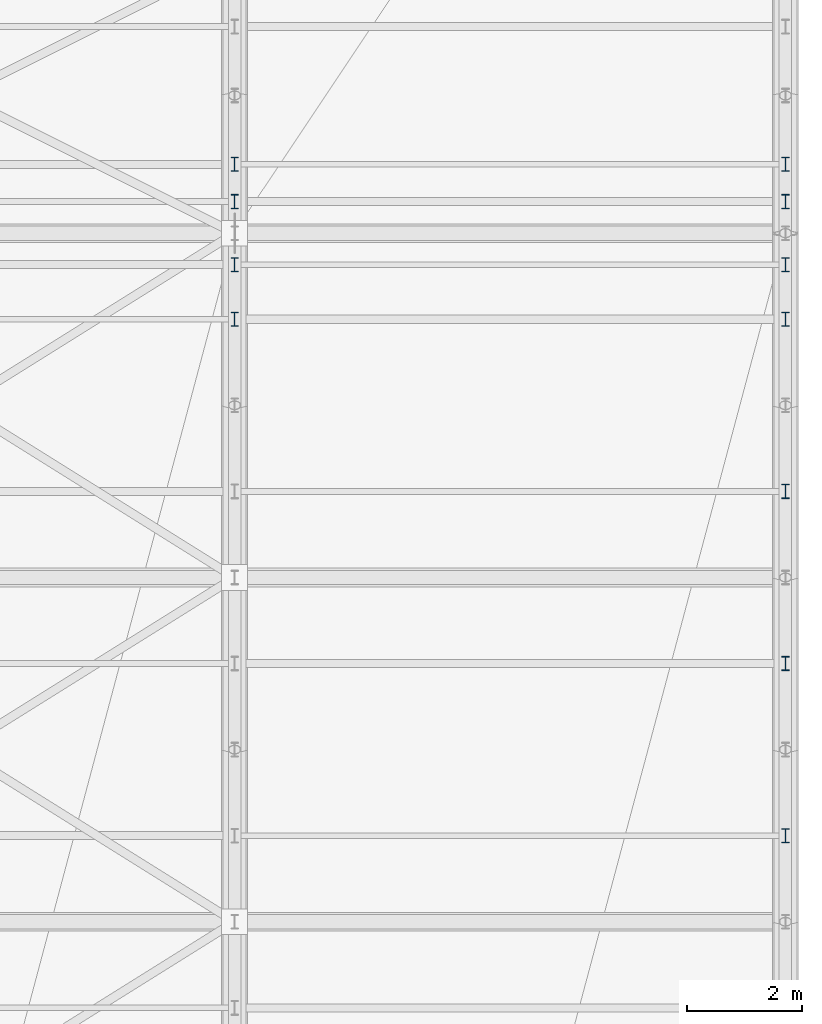
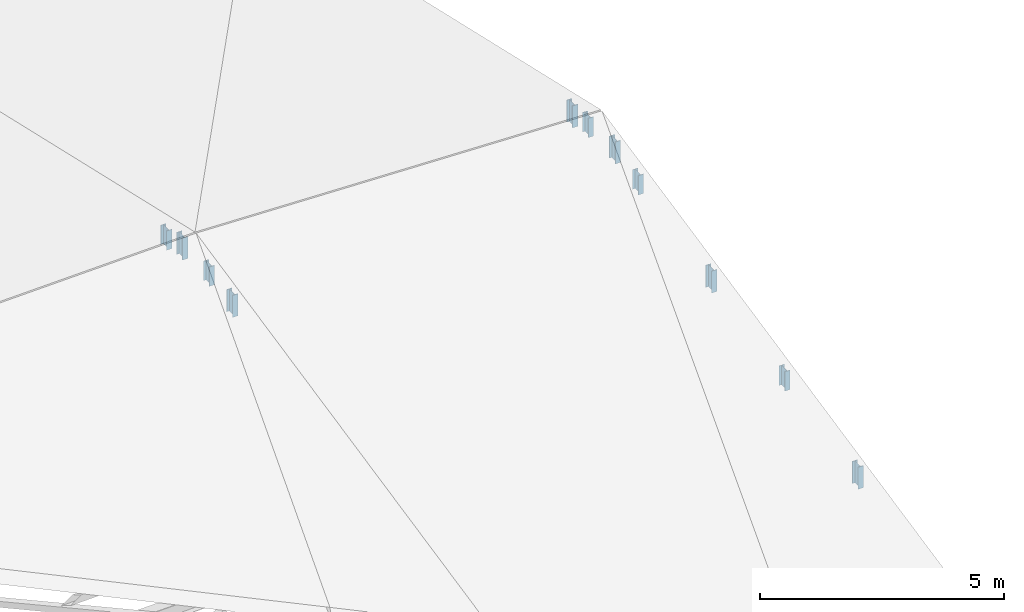
# One storey, part 90 of 109: 11 members.
"""IFC4 building model written with IfcOpenShell, lengths in metres."""

import ifcopenshell
import ifcopenshell.guid

model = None  # the IFC model being written
_history = None  # IfcOwnerHistory: only IFC2X3 demands one
_inside = {}  # id of a spatial element -> (the spatial element, [elements in it])
_under = {}  # id of a project, library or spatial element -> (it, [spatial elements below it])
_declared = {}  # id of a project -> (the project, [libraries it declares])
_typed = {}  # id of a type object -> (the type object, [elements of that type])
_made_of = {}  # id of a material, layer set ... -> (it, [elements and type objects made of it])


def new_model(schema):
    """Start an empty IFC model of exactly this schema.

    Asked for "IFC4X3", IfcOpenShell would pick the latest addendum, in which some entities
    have other attributes; the version numbers below select the first issue.
    IFC2X3 requires an IfcOwnerHistory on every rooted entity: one is made here for all.
    """
    global model, _history
    if schema == "IFC4X3":
        model = ifcopenshell.file(schema_version=(4, 3, 0, 0))
    else:
        model = ifcopenshell.file(schema=schema)
    _inside.clear()
    _under.clear()
    _declared.clear()
    _typed.clear()
    _made_of.clear()
    _history = None
    if model.schema == "IFC2X3":
        org = make("IfcOrganization", Name="unknown")
        user = make(
            "IfcPersonAndOrganization",
            ThePerson=make("IfcPerson", FamilyName="unknown"),
            TheOrganization=org,
        )
        app = make(
            "IfcApplication",
            ApplicationDeveloper=org,
            Version="unknown",
            ApplicationFullName="unknown",
            ApplicationIdentifier="unknown",
        )
        _history = make(
            "IfcOwnerHistory",
            OwningUser=user,
            OwningApplication=app,
            ChangeAction="ADDED",
            CreationDate=0,
        )
    return model


def make(cls, **values):
    """One entity of the class cls with the attributes given. An attribute that is None is left unset."""
    return model.create_entity(
        cls, **{name: value for name, value in values.items() if value is not None}
    )


def rooted(cls, **values):
    """An entity with a GlobalId (a new one), such as an element, a storey or a relation."""
    return make(cls, GlobalId=ifcopenshell.guid.new(), OwnerHistory=_history, **values)


def si_unit(unit_type, name, prefix=None):
    """IfcSIUnit, for example si_unit("LENGTHUNIT", "METRE", prefix="MILLI")."""
    return make("IfcSIUnit", UnitType=unit_type, Prefix=prefix, Name=name)


def assignment(units):
    """IfcUnitAssignment: the units of a project."""
    return None if units is None else make("IfcUnitAssignment", Units=units)


def point(xyz):
    """IfcCartesianPoint."""
    return None if xyz is None else make("IfcCartesianPoint", Coordinates=xyz)


def direction(xyz):
    """IfcDirection."""
    return None if xyz is None else make("IfcDirection", DirectionRatios=xyz)


def frame(location, z_axis=None, x_axis=None):
    """IfcAxis2Placement3D, a coordinate frame: its origin and axes. An axis left out is left unset."""
    return make(
        "IfcAxis2Placement3D",
        Location=point(location),
        Axis=direction(z_axis),
        RefDirection=direction(x_axis),
    )


def frame_2d(location, x_axis=None):
    """IfcAxis2Placement2D, a coordinate frame in the plane: its origin and x axis."""
    return make(
        "IfcAxis2Placement2D", Location=point(location), RefDirection=direction(x_axis)
    )


def origin():
    """The frame at (0, 0, 0) with its axes left unset."""
    return frame((0.0, 0.0, 0.0))


def origin_2d():
    """The frame at (0, 0) in the plane with its x axis left unset."""
    return frame_2d((0.0, 0.0))


def place(relative_to, where):
    """IfcLocalPlacement: puts the frame where relative to a parent placement (None: the world)."""
    return make(
        "IfcLocalPlacement", PlacementRelTo=relative_to, RelativePlacement=where
    )


def context(
    kind, dimensions, precision=None, world=None, true_north=None, identifier=None
):
    """IfcGeometricRepresentationContext, for example the 3D "Model" context."""
    return make(
        "IfcGeometricRepresentationContext",
        ContextIdentifier=identifier,
        ContextType=kind,
        CoordinateSpaceDimension=dimensions,
        Precision=precision,
        WorldCoordinateSystem=world,
        TrueNorth=true_north,
    )


def subcontext(parent, identifier, kind, view, scale=None):
    """IfcGeometricRepresentationSubContext, for example "Body" below "Model"."""
    return make(
        "IfcGeometricRepresentationSubContext",
        ContextIdentifier=identifier,
        ContextType=kind,
        ParentContext=parent,
        TargetScale=scale,
        TargetView=view,
    )


def project(units=None, contexts=None):
    """IfcProject with its units and contexts."""
    return rooted(
        "IfcProject",
        Name="project",
        RepresentationContexts=contexts,
        UnitsInContext=assignment(units),
    )


def spatial(cls, under=None, at=None, **own):
    """A site, building, storey or space (cls), placed at a placement, below another one or the project."""
    s = rooted(cls, ObjectPlacement=at, **own)
    if under is not None:
        _under.setdefault(under.id(), (under, []))[1].append(s)
    return s


def profile(cls, at=None, kind="AREA", **sizes):
    """A parametric profile (cls). Its sizes go by their IFC names, for example OverallWidth=200.0."""
    return make(cls, ProfileType=kind, Position=at, **sizes)


def i_section(**sizes):
    """IfcIShapeProfileDef."""
    return profile("IfcIShapeProfileDef", **sizes)


def extrude(swept, where, along, depth):
    """IfcExtrudedAreaSolid: the profile swept, set in the frame where, extruded along a direction by depth."""
    return make(
        "IfcExtrudedAreaSolid",
        SweptArea=swept,
        Position=where,
        ExtrudedDirection=direction(along),
        Depth=depth,
    )


def shape(context_of_items, identifier, shape_type, items):
    """IfcShapeRepresentation: the items that make up one representation, for example the "Body"."""
    return make(
        "IfcShapeRepresentation",
        ContextOfItems=context_of_items,
        RepresentationIdentifier=identifier,
        RepresentationType=shape_type,
        Items=items,
    )


def material(Name=None, Category=None):
    """IfcMaterial."""
    return make("IfcMaterial", Name=Name, Category=Category)


def material_profile(
    of_material, cross_section, Name=None, Category=None, Priority=None
):
    """IfcMaterialProfile: a cross section and its material."""
    return make(
        "IfcMaterialProfile",
        Name=Name,
        Material=of_material,
        Profile=cross_section,
        Priority=Priority,
        Category=Category,
    )


def profile_set(profiles, Name=None, composite=None):
    """IfcMaterialProfileSet."""
    return make(
        "IfcMaterialProfileSet",
        Name=Name,
        MaterialProfiles=profiles,
        CompositeProfile=composite,
    )


def made_of(thing, what):
    """Note that an element or type object is made of a material, layer set ...; save() writes the relation."""
    if what is not None:
        _made_of.setdefault(what.id(), (what, []))[1].append(thing)
    return thing


def type_object(cls, material=None, **own):
    """A type object (cls), such as IfcWallType, which elements share."""
    return made_of(rooted(cls, **own), material)


def element(
    cls,
    number,
    at=None,
    inside=None,
    cuts=None,
    type_object=None,
    material=None,
    context=None,
    identifier="Body",
    shape_type=None,
    held_by="IfcProductDefinitionShape",
    body=None,
    shapes=None,
    **own,
):
    """One element of the class cls, such as IfcWall. Its Tag is "e" and its number.

    at: its placement. inside: the storey or other place that contains it. cuts: it is an
    opening in that element (IfcRelVoidsElement). A single representation is given by context,
    identifier, shape_type and body (its items); several are given by shapes. held_by: the class
    of the entity that holds the representations. save() writes the other relations.
    """
    e = rooted(cls, Tag="e%d" % number, ObjectPlacement=at, **own)
    if body is not None:
        shapes = [shape(context, identifier, shape_type, body)]
    if shapes is not None:
        e.Representation = make(held_by, Representations=shapes)
    if inside is not None:
        _inside.setdefault(inside.id(), (inside, []))[1].append(e)
    if cuts is not None:
        rooted(
            "IfcRelVoidsElement", RelatingBuildingElement=cuts, RelatedOpeningElement=e
        )
    if type_object is not None:
        _typed.setdefault(type_object.id(), (type_object, []))[1].append(e)
    return made_of(e, material)


def aggregate(whole, parts):
    """IfcRelAggregates: a whole, such as a stair, and the parts it consists of."""
    return rooted("IfcRelAggregates", RelatingObject=whole, RelatedObjects=parts)


def save(model, path):
    """Write the relations noted so far, then the file.

    IfcRelAggregates (storeys below a building ...), IfcRelContainedInSpatialStructure (elements
    in a storey), IfcRelDefinesByType, IfcRelAssociatesMaterial and IfcRelDeclares: one each for
    every whole, place, type object, material and project.
    """
    for whole, parts in _under.values():
        aggregate(whole, parts)
    for where, things in _inside.values():
        rooted(
            "IfcRelContainedInSpatialStructure",
            RelatedElements=things,
            RelatingStructure=where,
        )
    for kind, things in _typed.values():
        rooted("IfcRelDefinesByType", RelatedObjects=things, RelatingType=kind)
    for what, things in _made_of.values():
        rooted("IfcRelAssociatesMaterial", RelatedObjects=things, RelatingMaterial=what)
    for by, libraries in _declared.values():
        rooted("IfcRelDeclares", RelatingContext=by, RelatedDefinitions=libraries)
    model.write(path)


model = new_model("IFC4")

# Units and contexts
model_context = context("Model", 3, precision=1e-05, world=origin(), true_north=direction((0.0, 1.0)))
body_context = subcontext(model_context, "Body", "Model", "MODEL_VIEW")
ifc_project = project(units=[si_unit("LENGTHUNIT", "METRE"), si_unit("AREAUNIT", "SQUARE_METRE"), si_unit("VOLUMEUNIT", "CUBIC_METRE"), si_unit("PLANEANGLEUNIT", "RADIAN"), si_unit("MASSUNIT", "GRAM", prefix="KILO")], contexts=[model_context])

# Site, building, storey
site_placement = place(None, origin())
site = spatial("IfcSite", under=ifc_project, at=site_placement, CompositionType="ELEMENT")
building_placement = place(site_placement, origin())
building = spatial("IfcBuilding", under=site, at=building_placement, Name="Suirenkawa Promenade Aquatics Centre", CompositionType="ELEMENT")
storey_placement = place(building_placement, frame((0.0, 0.0, 22.800048828125)))
storey = spatial("IfcBuildingStorey", under=building, at=storey_placement, Name="ROOF", CompositionType="ELEMENT", Elevation=22.800048828125)

# Members
ifc_material = material(Name="Steel IS 2062 E350 (Grade 350)", Category="steel")
ifc_material_profile = material_profile(ifc_material, i_section(OverallWidth=0.125, OverallDepth=0.25, WebThickness=0.007080078125, FlangeThickness=0.012939453125, at=origin_2d()), Name="ISMB 250", Category="steel")
ifc_profile_set = profile_set([ifc_material_profile], Name="Steel IS 2062 E350 (Grade 350)")
member_type = type_object("IfcMemberType", Name="MT-WEB-CHS168", PredefinedType="BRACE", material=ifc_profile_set)
member_1_placement = place(storey_placement, frame((184.800048828125, 84.89990234375, -1.717041015625), z_axis=(0.0, 0.0, 1.0), x_axis=(1.0, 0.0, 0.0)))
element("IfcMember", 1, at=member_1_placement, inside=storey, type_object=member_type, Name="ROOF TRUSS Purlin cleat post TD-03 MB-2542", PredefinedType="BRACE", context=body_context, shape_type="SweptSolid", body=[
    extrude(i_section(OverallWidth=0.125, OverallDepth=0.25, WebThickness=0.007080078125, FlangeThickness=0.012939453125, at=origin_2d()), origin(), (0.0, 0.0, 1.0), 0.551025390625),
])
member_2_placement = place(storey_placement, frame((184.800048828125, 85.85009765625, -1.51611328125), z_axis=(0.0, 0.0, 1.0), x_axis=(1.0, 0.0, 0.0)))
element("IfcMember", 2, at=member_2_placement, inside=storey, type_object=member_type, Name="ROOF TRUSS Purlin cleat post TD-03 MB-2544", PredefinedType="BRACE", context=body_context, shape_type="SweptSolid", body=[
    extrude(i_section(OverallWidth=0.125, OverallDepth=0.25, WebThickness=0.007080078125, FlangeThickness=0.012939453125, at=origin_2d()), origin(), (0.0, 0.0, 1.0), 0.486083984375),
])
member_3_placement = place(storey_placement, frame((184.800048828125, 86.949951171875, -1.526123046875), z_axis=(0.0, 0.0, 1.0), x_axis=(1.0, 0.0, 0.0)))
element("IfcMember", 3, at=member_3_placement, inside=storey, type_object=member_type, Name="ROOF TRUSS Purlin cleat post TD-03 MB-2546", PredefinedType="BRACE", context=body_context, shape_type="SweptSolid", body=[
    extrude(i_section(OverallWidth=0.125, OverallDepth=0.25, WebThickness=0.007080078125, FlangeThickness=0.012939453125, at=origin_2d()), origin(), (0.0, 0.0, 1.0), 0.549072265625),
])
member_4_placement = place(storey_placement, frame((184.800048828125, 87.60009765625, -1.675048828125), z_axis=(0.0, 0.0, 1.0), x_axis=(1.0, 0.0, 0.0)))
element("IfcMember", 4, at=member_4_placement, inside=storey, type_object=member_type, Name="ROOF TRUSS Purlin cleat post TD-03 MB-2548", PredefinedType="BRACE", context=body_context, shape_type="SweptSolid", body=[
    extrude(i_section(OverallWidth=0.125, OverallDepth=0.25, WebThickness=0.007080078125, FlangeThickness=0.012939453125, at=origin_2d()), origin(), (0.0, 0.0, 1.0), 0.48388671875),
])
member_5_placement = place(storey_placement, frame((194.39990234375, 75.89990234375, -3.9169921875), z_axis=(0.0, 0.0, 1.0), x_axis=(1.0, 0.0, 0.0)))
element("IfcMember", 5, at=member_5_placement, inside=storey, type_object=member_type, Name="ROOF TRUSS Purlin cleat post TD-03 MB-2580", PredefinedType="BRACE", context=body_context, shape_type="SweptSolid", body=[
    extrude(i_section(OverallWidth=0.125, OverallDepth=0.25, WebThickness=0.007080078125, FlangeThickness=0.012939453125, at=origin_2d()), origin(), (0.0, 0.0, 1.0), 0.551025390625),
])
member_6_placement = place(storey_placement, frame((194.39990234375, 78.89990234375, -3.282958984375), z_axis=(0.0, 0.0, 1.0), x_axis=(1.0, 0.0, 0.0)))
element("IfcMember", 6, at=member_6_placement, inside=storey, type_object=member_type, Name="ROOF TRUSS Purlin cleat post TD-03 MB-2582", PredefinedType="BRACE", context=body_context, shape_type="SweptSolid", body=[
    extrude(i_section(OverallWidth=0.125, OverallDepth=0.25, WebThickness=0.007080078125, FlangeThickness=0.012939453125, at=origin_2d()), origin(), (0.0, 0.0, 1.0), 0.48583984375),
])
member_7_placement = place(storey_placement, frame((194.39990234375, 81.89990234375, -2.650146484375), z_axis=(0.0, 0.0, 1.0), x_axis=(1.0, 0.0, 0.0)))
element("IfcMember", 7, at=member_7_placement, inside=storey, type_object=member_type, Name="ROOF TRUSS Purlin cleat post TD-03 MB-2584", PredefinedType="BRACE", context=body_context, shape_type="SweptSolid", body=[
    extrude(i_section(OverallWidth=0.125, OverallDepth=0.25, WebThickness=0.007080078125, FlangeThickness=0.012939453125, at=origin_2d()), origin(), (0.0, 0.0, 1.0), 0.551025390625),
])
member_8_placement = place(storey_placement, frame((194.39990234375, 84.89990234375, -2.01708984375), z_axis=(0.0, 0.0, 1.0), x_axis=(1.0, 0.0, 0.0)))
element("IfcMember", 8, at=member_8_placement, inside=storey, type_object=member_type, Name="ROOF TRUSS Purlin cleat post TD-03 MB-2586", PredefinedType="BRACE", context=body_context, shape_type="SweptSolid", body=[
    extrude(i_section(OverallWidth=0.125, OverallDepth=0.25, WebThickness=0.007080078125, FlangeThickness=0.012939453125, at=origin_2d()), origin(), (0.0, 0.0, 1.0), 0.487060546875),
])
member_9_placement = place(storey_placement, frame((194.39990234375, 85.85009765625, -1.816162109375), z_axis=(0.0, 0.0, 1.0), x_axis=(1.0, 0.0, 0.0)))
element("IfcMember", 9, at=member_9_placement, inside=storey, type_object=member_type, Name="ROOF TRUSS Purlin cleat post TD-03 MB-2588", PredefinedType="BRACE", context=body_context, shape_type="SweptSolid", body=[
    extrude(i_section(OverallWidth=0.125, OverallDepth=0.25, WebThickness=0.007080078125, FlangeThickness=0.012939453125, at=origin_2d()), origin(), (0.0, 0.0, 1.0), 0.550048828125),
])
member_10_placement = place(storey_placement, frame((194.39990234375, 86.949951171875, -1.825927734375), z_axis=(0.0, 0.0, 1.0), x_axis=(1.0, 0.0, 0.0)))
element("IfcMember", 10, at=member_10_placement, inside=storey, type_object=member_type, Name="ROOF TRUSS Purlin cleat post TD-03 MB-2590", PredefinedType="BRACE", context=body_context, shape_type="SweptSolid", body=[
    extrude(i_section(OverallWidth=0.125, OverallDepth=0.25, WebThickness=0.007080078125, FlangeThickness=0.012939453125, at=origin_2d()), origin(), (0.0, 0.0, 1.0), 0.48388671875),
])
member_11_placement = place(storey_placement, frame((194.39990234375, 87.60009765625, -1.97509765625), z_axis=(0.0, 0.0, 1.0), x_axis=(1.0, 0.0, 0.0)))
element("IfcMember", 11, at=member_11_placement, inside=storey, type_object=member_type, Name="ROOF TRUSS Purlin cleat post TD-03 MB-2592", PredefinedType="BRACE", context=body_context, shape_type="SweptSolid", body=[
    extrude(i_section(OverallWidth=0.125, OverallDepth=0.25, WebThickness=0.007080078125, FlangeThickness=0.012939453125, at=origin_2d()), origin(), (0.0, 0.0, 1.0), 0.549072265625),
])

save(model, "model.ifc")
